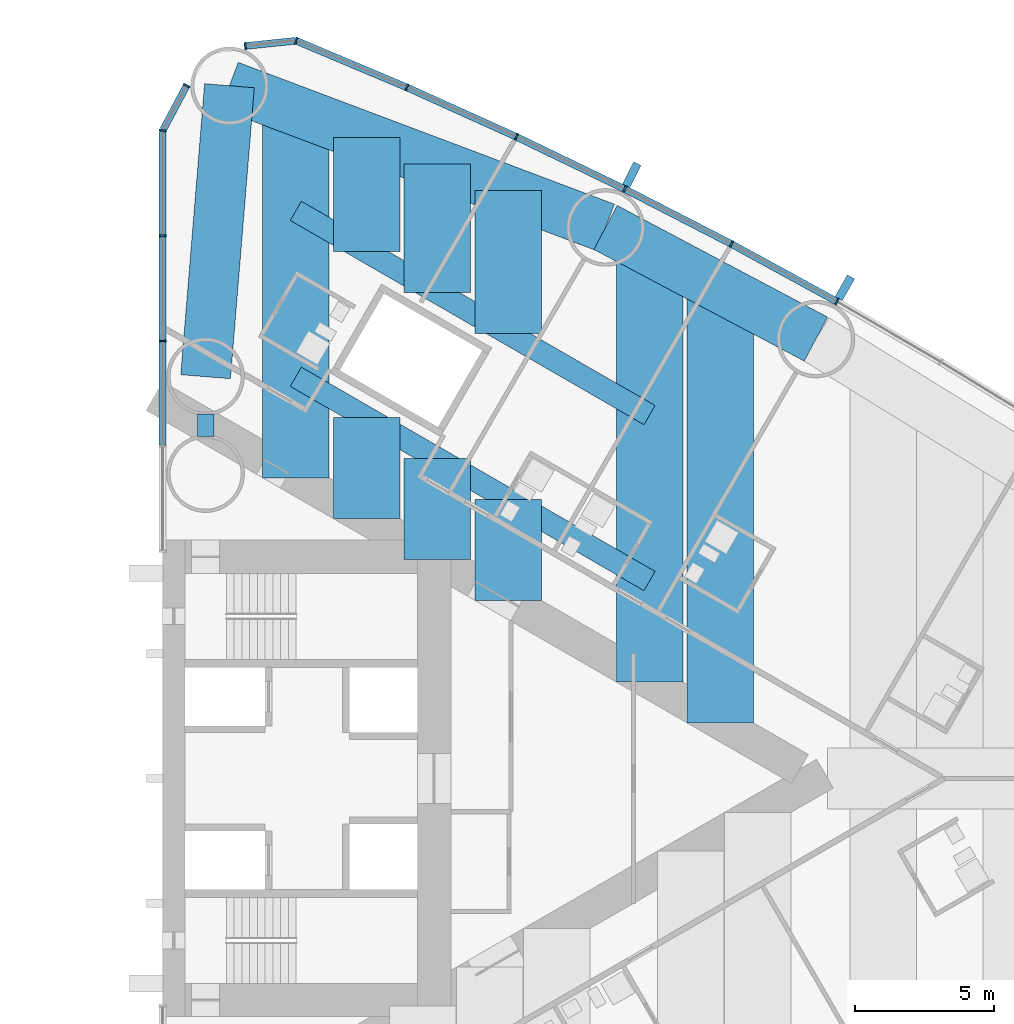
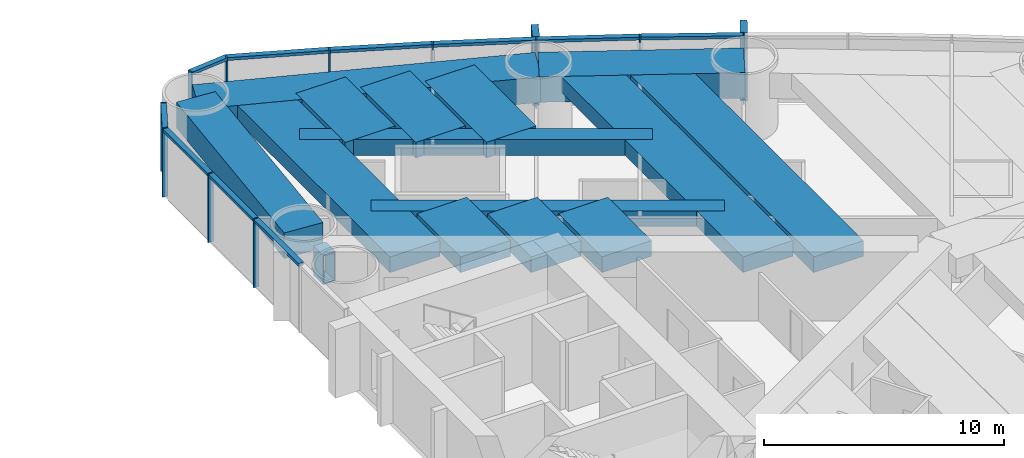
# One storey, part 7 of 18: 23 members, 15 beams, 2 elements without a shape of their own.
"""IFC4 building model written with IfcOpenShell, lengths in metres."""

from ifc_helpers import new_model, si_unit, direction, frame, origin, origin_2d, place, context, subcontext, project, spatial, rectangle, hollow_rectangle, extrude, material, material_profile, profile_set, type_object, element, aggregate, save


model = new_model("IFC4")

# Units and contexts
model_context = context("Model", 3, precision=1e-05, world=origin(), true_north=direction((0.0, 1.0)))
body_context = subcontext(model_context, "Body", "Model", "MODEL_VIEW")
ifc_project = project(units=[si_unit("LENGTHUNIT", "METRE"), si_unit("AREAUNIT", "SQUARE_METRE"), si_unit("VOLUMEUNIT", "CUBIC_METRE"), si_unit("PLANEANGLEUNIT", "RADIAN"), si_unit("MASSUNIT", "GRAM", prefix="KILO")], contexts=[model_context])

# Site, building, storey
site_placement = place(None, origin())
site = spatial("IfcSite", under=ifc_project, at=site_placement, CompositionType="ELEMENT")
building_placement = place(site_placement, origin())
building = spatial("IfcBuilding", under=site, at=building_placement, Name="Lancet Gate Hotel", CompositionType="ELEMENT")
storey_placement = place(building_placement, frame((0.0, 0.0, 46.0)))
storey = spatial("IfcBuildingStorey", under=building, at=storey_placement, Name="L11", CompositionType="ELEMENT", Elevation=46.0)

# Curtain wall, members
ifc_material_1 = material(Name="Aluminium curtain wall", Category="aluminium")
curtain_wall_type = type_object("IfcCurtainWallType", Name="Tower unitised curtain wall", PredefinedType="USERDEFINED", material=ifc_material_1)
curtain_wall_1_placement = place(storey_placement, origin())
curtain_wall_1 = element("IfcCurtainWall", 1, at=curtain_wall_1_placement, inside=storey, type_object=curtain_wall_type, Name="T2 L11 curtain wall 3", ObjectType="UNITISED CURTAIN WALL", PredefinedType="USERDEFINED")
ifc_material_2 = material(Name="Aluminium mullion", Category="aluminium")
ifc_material_profile_1 = material_profile(ifc_material_2, rectangle(XDim=0.06494140625, YDim=0.25, at=origin_2d()), Name="MULLION 65x250")
ifc_profile_set_1 = profile_set([ifc_material_profile_1], Name="Aluminium mullion")
member_type_1 = type_object("IfcMemberType", Name="Aluminium mullion 65x250", PredefinedType="MULLION", material=ifc_profile_set_1)
member_1_placement = place(storey_placement, frame((51.838623046875, 17.208740234375, 0.0), z_axis=(0.0, 0.0, 1.0), x_axis=(-0.871190450382, 0.490945209941, 0.0)))
member_1 = element("IfcMember", 2, at=member_1_placement, type_object=member_type_1, Name="T2 L11 curtain wall 3 mullion 8", PredefinedType="MULLION", context=body_context, shape_type="SweptSolid", body=[
    extrude(rectangle(XDim=0.06494140625, YDim=0.25, at=origin_2d()), origin(), (0.0, 0.0, 1.0), 3.5),
])
member_2_placement = place(storey_placement, frame((48.03271484375, 19.2900390625, 0.0), z_axis=(0.0, 0.0, 1.0), x_axis=(-0.88340346743, 0.468613181347, 0.0)))
member_2 = element("IfcMember", 3, at=member_2_placement, type_object=member_type_1, Name="T2 L11 curtain wall 3 mullion 9", PredefinedType="MULLION", context=body_context, shape_type="SweptSolid", body=[
    extrude(rectangle(XDim=0.06494140625, YDim=0.25, at=origin_2d()), origin(), (0.0, 0.0, 1.0), 3.5),
])
member_3_placement = place(storey_placement, frame((44.17529296875, 21.273681640625, 0.0), z_axis=(0.0, 0.0, 1.0), x_axis=(-0.895044147438, 0.445977548917, 0.0)))
member_3 = element("IfcMember", 4, at=member_3_placement, type_object=member_type_1, Name="T2 L11 curtain wall 3 mullion 10", PredefinedType="MULLION", context=body_context, shape_type="SweptSolid", body=[
    extrude(rectangle(XDim=0.06494140625, YDim=0.25, at=origin_2d()), origin(), (0.0, 0.0, 1.0), 3.5),
])
member_4_placement = place(storey_placement, frame((40.2685546875, 23.15869140625, 0.0), z_axis=(0.0, 0.0, 1.0), x_axis=(-0.906104948671, 0.423052977762, 0.0)))
member_4 = element("IfcMember", 5, at=member_4_placement, type_object=member_type_1, Name="T2 L11 curtain wall 3 mullion 11", PredefinedType="MULLION", context=body_context, shape_type="SweptSolid", body=[
    extrude(rectangle(XDim=0.06494140625, YDim=0.25, at=origin_2d()), origin(), (0.0, 0.0, 1.0), 3.5),
])
member_5_placement = place(storey_placement, frame((36.31494140625, 24.943603515625, 0.0), z_axis=(0.0, 0.0, 1.0), x_axis=(-0.916578705089, 0.399854320193, 0.0)))
member_5 = element("IfcMember", 6, at=member_5_placement, type_object=member_type_1, Name="T2 L11 curtain wall 3 mullion 12", PredefinedType="MULLION", context=body_context, shape_type="SweptSolid", body=[
    extrude(rectangle(XDim=0.06494140625, YDim=0.25, at=origin_2d()), origin(), (0.0, 0.0, 1.0), 3.5),
])
member_6_placement = place(storey_placement, frame((32.3173828125, 26.62744140625, 0.0), z_axis=(0.0, 0.0, 1.0), x_axis=(-0.968721492963, 0.248150496819, 0.0)))
member_6 = element("IfcMember", 7, at=member_6_placement, type_object=member_type_1, Name="T2 L11 curtain wall 3 mullion 13", PredefinedType="MULLION", context=body_context, shape_type="SweptSolid", body=[
    extrude(rectangle(XDim=0.06494140625, YDim=0.25, at=origin_2d()), origin(), (0.0, 0.0, 1.0), 3.5),
])
member_7_placement = place(storey_placement, frame((30.48388671875, 26.4375, 0.0), z_axis=(0.0, 0.0, 1.0), x_axis=(-0.994672262412, -0.10308778001, 0.0)))
member_7 = element("IfcMember", 8, at=member_7_placement, type_object=member_type_1, Name="T2 L11 curtain wall 3 mullion 14", PredefinedType="MULLION", context=body_context, shape_type="SweptSolid", body=[
    extrude(rectangle(XDim=0.06494140625, YDim=0.25, at=origin_2d()), origin(), (0.0, 0.0, 1.0), 3.5),
])

curtain_wall_2_placement = place(storey_placement, origin())
curtain_wall_2 = element("IfcCurtainWall", 9, at=curtain_wall_2_placement, inside=storey, type_object=curtain_wall_type, Name="T2 L11 curtain wall 4", ObjectType="UNITISED CURTAIN WALL", PredefinedType="USERDEFINED")
member_8_placement = place(storey_placement, frame((28.366455078125, 25.012451171875, 0.0), z_axis=(0.0, 0.0, 1.0), x_axis=(-0.469897827284, -0.882720811987, 0.0)))
member_8 = element("IfcMember", 10, at=member_8_placement, type_object=member_type_1, Name="T2 L11 curtain wall 4 mullion 1", PredefinedType="MULLION", context=body_context, shape_type="SweptSolid", body=[
    extrude(rectangle(XDim=0.06494140625, YDim=0.25, at=origin_2d()), origin(), (0.0, 0.0, 1.0), 3.5),
])
member_9_placement = place(storey_placement, frame((27.5, 23.384765625, 0.0), z_axis=(0.0, 0.0, 1.0), x_axis=(-0.157751691459, -0.987478811844, 0.0)))
member_9 = element("IfcMember", 11, at=member_9_placement, type_object=member_type_1, Name="T2 L11 curtain wall 4 mullion 2", PredefinedType="MULLION", context=body_context, shape_type="SweptSolid", body=[
    extrude(rectangle(XDim=0.06494140625, YDim=0.25, at=origin_2d()), origin(), (0.0, 0.0, 1.0), 3.5),
])
member_10_placement = place(storey_placement, frame((27.5, 19.588623046875, 0.0), z_axis=(0.0, 0.0, 1.0), x_axis=(0.0, -1.0, 0.0)))
member_10 = element("IfcMember", 12, at=member_10_placement, type_object=member_type_1, Name="T2 L11 curtain wall 4 mullion 3", PredefinedType="MULLION", context=body_context, shape_type="SweptSolid", body=[
    extrude(rectangle(XDim=0.06494140625, YDim=0.25, at=origin_2d()), origin(), (0.0, 0.0, 1.0), 3.5),
])
member_11_placement = place(storey_placement, frame((27.5, 15.79248046875, 0.0), z_axis=(0.0, 0.0, 1.0), x_axis=(0.0, -1.0, 0.0)))
member_11 = element("IfcMember", 13, at=member_11_placement, type_object=member_type_1, Name="T2 L11 curtain wall 4 mullion 4", PredefinedType="MULLION", context=body_context, shape_type="SweptSolid", body=[
    extrude(rectangle(XDim=0.06494140625, YDim=0.25, at=origin_2d()), origin(), (0.0, 0.0, 1.0), 3.5),
])

# Member
ifc_material_3 = material(Name="Aluminium transom", Category="aluminium")
ifc_material_profile_2 = material_profile(ifc_material_3, rectangle(XDim=0.25, YDim=0.14990234375, at=origin_2d()), Name="TRANSOM 250x150")
ifc_profile_set_2 = profile_set([ifc_material_profile_2], Name="Aluminium transom")
member_type_2 = type_object("IfcMemberType", Name="Aluminium transom 250x150", PredefinedType="USERDEFINED", material=ifc_profile_set_2)
member_12_placement = place(storey_placement, frame((51.81005859375, 17.224365234375, 3.425048828125), z_axis=(-0.877377528879, 0.479800658417, 0.0), x_axis=(-0.479800658417, -0.877377528879, 0.0)))
member_12 = element("IfcMember", 14, at=member_12_placement, type_object=member_type_2, Name="T2 L11 curtain wall 3 transom 8", ObjectType="TRANSOM", PredefinedType="USERDEFINED", context=body_context, shape_type="SweptSolid", body=[
    extrude(rectangle(XDim=0.25, YDim=0.14990234375, at=origin_2d()), origin(), (0.0, 0.0, 1.0), 4.272705078125),
])

member_13_placement = place(storey_placement, frame((48.00390625, 19.304931640625, 3.425048828125), z_axis=(-0.88929576978, 0.457332520002, 0.0), x_axis=(-0.457332520002, -0.88929576978, 0.0)))
member_13 = element("IfcMember", 15, at=member_13_placement, type_object=member_type_2, Name="T2 L11 curtain wall 3 transom 9", ObjectType="TRANSOM", PredefinedType="USERDEFINED", context=body_context, shape_type="SweptSolid", body=[
    extrude(rectangle(XDim=0.25, YDim=0.14990234375, at=origin_2d()), origin(), (0.0, 0.0, 1.0), 4.272705078125),
])

member_14_placement = place(storey_placement, frame((44.14599609375, 21.287841796875, 3.425048828125), z_axis=(-0.900646499888, 0.434552508035, 0.0), x_axis=(-0.434552508035, -0.900646499888, 0.0)))
member_14 = element("IfcMember", 16, at=member_14_placement, type_object=member_type_2, Name="T2 L11 curtain wall 3 transom 10", ObjectType="TRANSOM", PredefinedType="USERDEFINED", context=body_context, shape_type="SweptSolid", body=[
    extrude(rectangle(XDim=0.25, YDim=0.14990234375, at=origin_2d()), origin(), (0.0, 0.0, 1.0), 4.272705078125),
])

member_15_placement = place(storey_placement, frame((40.23876953125, 23.172119140625, 3.425048828125), z_axis=(-0.911396871737, 0.411528543589, 0.0), x_axis=(-0.411528543589, -0.911396871737, 0.0)))
member_15 = element("IfcMember", 17, at=member_15_placement, type_object=member_type_2, Name="T2 L11 curtain wall 3 transom 11", ObjectType="TRANSOM", PredefinedType="USERDEFINED", context=body_context, shape_type="SweptSolid", body=[
    extrude(rectangle(XDim=0.25, YDim=0.14990234375, at=origin_2d()), origin(), (0.0, 0.0, 1.0), 4.272705078125),
])

member_16_placement = place(storey_placement, frame((36.28515625, 24.956298828125, 3.425048828125), z_axis=(-0.92159772617, 0.388146404233, 0.0), x_axis=(-0.388146404233, -0.92159772617, 0.0)))
member_16 = element("IfcMember", 18, at=member_16_placement, type_object=member_type_2, Name="T2 L11 curtain wall 3 transom 12", ObjectType="TRANSOM", PredefinedType="USERDEFINED", context=body_context, shape_type="SweptSolid", body=[
    extrude(rectangle(XDim=0.25, YDim=0.14990234375, at=origin_2d()), origin(), (0.0, 0.0, 1.0), 4.272705078125),
])

member_17_placement = place(storey_placement, frame((32.28515625, 26.6240234375, 3.425048828125), z_axis=(-0.994670452051, -0.103105246306, 0.0), x_axis=(0.103105246306, -0.994670452051, 0.0)))
member_17 = element("IfcMember", 19, at=member_17_placement, type_object=member_type_2, Name="T2 L11 curtain wall 3 transom 13", ObjectType="TRANSOM", PredefinedType="USERDEFINED", context=body_context, shape_type="SweptSolid", body=[
    extrude(rectangle(XDim=0.25, YDim=0.14990234375, at=origin_2d()), origin(), (0.0, 0.0, 1.0), 1.7783203125),
])

member_18_placement = place(storey_placement, frame((28.351318359375, 24.98388671875, 3.425048828125), z_axis=(-0.469904276347, -0.882717378933, 0.0), x_axis=(0.882717378933, -0.469904276347, 0.0)))
member_18 = element("IfcMember", 20, at=member_18_placement, type_object=member_type_2, Name="T2 L11 curtain wall 4 transom 1", ObjectType="TRANSOM", PredefinedType="USERDEFINED", context=body_context, shape_type="SweptSolid", body=[
    extrude(rectangle(XDim=0.25, YDim=0.14990234375, at=origin_2d()), origin(), (0.0, 0.0, 1.0), 1.779052734375),
])

member_19_placement = place(storey_placement, frame((27.5, 23.352294921875, 3.425048828125), z_axis=(0.0, -1.0, 0.0), x_axis=(1.0, 0.0, 0.0)))
member_19 = element("IfcMember", 21, at=member_19_placement, type_object=member_type_2, Name="T2 L11 curtain wall 4 transom 2", ObjectType="TRANSOM", PredefinedType="USERDEFINED", context=body_context, shape_type="SweptSolid", body=[
    extrude(rectangle(XDim=0.25, YDim=0.14990234375, at=origin_2d()), origin(), (0.0, 0.0, 1.0), 3.731201171875),
])

member_20_placement = place(storey_placement, frame((27.5, 19.55615234375, 3.425048828125), z_axis=(0.0, -1.0, 0.0), x_axis=(1.0, 0.0, 0.0)))
member_20 = element("IfcMember", 22, at=member_20_placement, type_object=member_type_2, Name="T2 L11 curtain wall 4 transom 3", ObjectType="TRANSOM", PredefinedType="USERDEFINED", context=body_context, shape_type="SweptSolid", body=[
    extrude(rectangle(XDim=0.25, YDim=0.14990234375, at=origin_2d()), origin(), (0.0, 0.0, 1.0), 3.731201171875),
])

member_21_placement = place(storey_placement, frame((27.5, 15.760009765625, 3.425048828125), z_axis=(0.0, -1.0, 0.0), x_axis=(1.0, 0.0, 0.0)))
member_21 = element("IfcMember", 23, at=member_21_placement, type_object=member_type_2, Name="T2 L11 curtain wall 4 transom 4", ObjectType="TRANSOM", PredefinedType="USERDEFINED", context=body_context, shape_type="SweptSolid", body=[
    extrude(rectangle(XDim=0.25, YDim=0.14990234375, at=origin_2d()), origin(), (0.0, 0.0, 1.0), 3.731201171875),
])

aggregate(curtain_wall_2, [member_8, member_9, member_10, member_11, member_18, member_19, member_20, member_21])

# Beams
ifc_material_4 = material(Name="Concrete C50/60", Category="concrete")
ifc_material_profile_3 = material_profile(ifc_material_4, rectangle(XDim=1.800048828125, YDim=1.300048828125, at=origin_2d()), Name="RC 1800x1300")
ifc_profile_set_3 = profile_set([ifc_material_profile_3], Name="Concrete C50/60")
beam_type_1 = type_object("IfcBeamType", Name="Edge beam RC 1800x1300", PredefinedType="SPANDREL", material=ifc_profile_set_3)
beam_1_placement = place(storey_placement, frame((51.07763671875, 15.8583984375, 2.60009765625), z_axis=(-0.883403493655, 0.46861313191, 0.0), x_axis=(-0.46861313191, -0.883403493655, 0.0)))
element("IfcBeam", 24, at=beam_1_placement, inside=storey, type_object=beam_type_1, Name="T2 edge beam EB1 L11", PredefinedType="SPANDREL", context=body_context, shape_type="SweptSolid", body=[
    extrude(rectangle(XDim=1.800048828125, YDim=1.300048828125, at=origin_2d()), origin(), (0.0, 0.0, 1.0), 8.595703125),
])
beam_2_placement = place(storey_placement, frame((43.484130859375, 19.886474609375, 2.60009765625), z_axis=(-0.935736448066, 0.352700013836, 0.0), x_axis=(-0.352700013836, -0.935736448066, 0.0)))
element("IfcBeam", 25, at=beam_2_placement, inside=storey, type_object=beam_type_1, Name="T2 edge beam EB1 L11", PredefinedType="SPANDREL", context=body_context, shape_type="SweptSolid", body=[
    extrude(rectangle(XDim=1.800048828125, YDim=1.300048828125, at=origin_2d()), origin(), (0.0, 0.0, 1.0), 14.505126953125),
])
beam_3_placement = place(storey_placement, frame((29.050048828125, 14.5, 2.60009765625), z_axis=(0.081714744052, 0.996655758326, 0.0), x_axis=(-0.996655758326, 0.081714744052, 0.0)))
element("IfcBeam", 26, at=beam_3_placement, inside=storey, type_object=beam_type_1, Name="T2 edge beam EB1 L11", PredefinedType="SPANDREL", context=body_context, shape_type="SweptSolid", body=[
    extrude(rectangle(XDim=1.800048828125, YDim=1.300048828125, at=origin_2d()), origin(), (0.0, 0.0, 1.0), 10.53759765625),
])

# Member
ifc_material_5 = material(Name="Precast concrete C50/60", Category="concrete")
ifc_material_profile_4 = material_profile(ifc_material_5, rectangle(XDim=0.300048828125, YDim=0.89990234375, at=origin_2d()), Name="FIN 300x900")
ifc_profile_set_4 = profile_set([ifc_material_profile_4], Name="Precast concrete C50/60")
member_type_3 = type_object("IfcMemberType", Name="Exposed concrete fin 300x900", PredefinedType="USERDEFINED", material=ifc_profile_set_4)
member_22_placement = place(storey_placement, frame((52.120849609375, 17.709716796875, 0.0), z_axis=(0.0, 0.0, 1.0), x_axis=(-0.871190450382, 0.490945209941, 0.0)))
member_22 = element("IfcMember", 27, at=member_22_placement, type_object=member_type_3, Name="T2 L11 curtain wall 3 fin 8", ObjectType="FIN", PredefinedType="USERDEFINED", context=body_context, shape_type="SweptSolid", body=[
    extrude(rectangle(XDim=0.300048828125, YDim=0.89990234375, at=origin_2d()), origin(), (0.0, 0.0, 1.0), 3.5),
])

member_23_placement = place(storey_placement, frame((44.431640625, 21.788330078125, 0.0), z_axis=(0.0, 0.0, 1.0), x_axis=(-0.895044147438, 0.445977548917, 0.0)))
member_23 = element("IfcMember", 28, at=member_23_placement, type_object=member_type_3, Name="T2 L11 curtain wall 3 fin 10", ObjectType="FIN", PredefinedType="USERDEFINED", context=body_context, shape_type="SweptSolid", body=[
    extrude(rectangle(XDim=0.300048828125, YDim=0.89990234375, at=origin_2d()), origin(), (0.0, 0.0, 1.0), 3.5),
])

aggregate(curtain_wall_1, [member_1, member_22, member_2, member_3, member_23, member_4, member_5, member_6, member_7, member_12, member_13, member_14, member_15, member_16, member_17])

# Beams
ifc_material_6 = material(Name="Concrete C50/60", Category="concrete")
ifc_material_profile_5 = material_profile(ifc_material_6, rectangle(XDim=2.39990234375, YDim=0.800048828125, at=origin_2d()), Name="RC 2400x800")
ifc_profile_set_5 = profile_set([ifc_material_profile_5], Name="Concrete C50/60")
beam_type_2 = type_object("IfcBeamType", Name="Floor beam RC 2400x800", PredefinedType="BEAM", material=ifc_profile_set_5)
beam_4_placement = place(storey_placement, frame((32.306396484375, 10.851806640625, 2.85009765625), z_axis=(0.0, 1.0, 0.0), x_axis=(-1.0, 0.0, 0.0)))
element("IfcBeam", 29, at=beam_4_placement, inside=storey, type_object=beam_type_2, Name="T2 floor beam F04N L11", PredefinedType="BEAM", context=body_context, shape_type="SweptSolid", body=[
    extrude(rectangle(XDim=2.39990234375, YDim=0.800048828125, at=origin_2d()), origin(), (0.0, 0.0, 1.0), 13.247802734375),
])
beam_5_placement = place(storey_placement, frame((45.072265625, 3.4814453125, 2.85009765625), z_axis=(0.0, 1.0, 0.0), x_axis=(-1.0, 0.0, 0.0)))
element("IfcBeam", 30, at=beam_5_placement, inside=storey, type_object=beam_type_2, Name="T2 floor beam F12N L11", PredefinedType="BEAM", context=body_context, shape_type="SweptSolid", body=[
    extrude(rectangle(XDim=2.39990234375, YDim=0.800048828125, at=origin_2d()), origin(), (0.0, 0.0, 1.0), 15.5625),
])
beam_6_placement = place(storey_placement, frame((47.62548828125, 2.00732421875, 2.85009765625), z_axis=(0.0, 1.0, 0.0), x_axis=(-1.0, 0.0, 0.0)))
element("IfcBeam", 31, at=beam_6_placement, inside=storey, type_object=beam_type_2, Name="T2 floor beam F14N L11", PredefinedType="BEAM", context=body_context, shape_type="SweptSolid", body=[
    extrude(rectangle(XDim=2.39990234375, YDim=0.800048828125, at=origin_2d()), origin(), (0.0, 0.0, 1.0), 15.68212890625),
])
beam_7_placement = place(storey_placement, frame((34.859619140625, 9.377685546875, 2.85009765625), z_axis=(0.0, 1.0, 0.0), x_axis=(-1.0, 0.0, 0.0)))
element("IfcBeam", 32, at=beam_7_placement, inside=storey, type_object=beam_type_2, Name="T2 floor beam F06NA L11", PredefinedType="BEAM", context=body_context, shape_type="SweptSolid", body=[
    extrude(rectangle(XDim=2.39990234375, YDim=0.800048828125, at=origin_2d()), origin(), (0.0, 0.0, 1.0), 3.645751953125),
])
beam_8_placement = place(storey_placement, frame((34.859619140625, 19.011474609375, 2.85009765625), z_axis=(0.0, 1.0, 0.0), x_axis=(-1.0, 0.0, 0.0)))
element("IfcBeam", 33, at=beam_8_placement, inside=storey, type_object=beam_type_2, Name="T2 floor beam F06NB L11", PredefinedType="BEAM", context=body_context, shape_type="SweptSolid", body=[
    extrude(rectangle(XDim=2.39990234375, YDim=0.800048828125, at=origin_2d()), origin(), (0.0, 0.0, 1.0), 4.125732421875),
])
beam_9_placement = place(storey_placement, frame((37.412841796875, 7.903564453125, 2.85009765625), z_axis=(0.0, 1.0, 0.0), x_axis=(-1.0, 0.0, 0.0)))
element("IfcBeam", 34, at=beam_9_placement, inside=storey, type_object=beam_type_2, Name="T2 floor beam F08NA L11", PredefinedType="BEAM", context=body_context, shape_type="SweptSolid", body=[
    extrude(rectangle(XDim=2.39990234375, YDim=0.800048828125, at=origin_2d()), origin(), (0.0, 0.0, 1.0), 3.6455078125),
])
beam_10_placement = place(storey_placement, frame((37.412841796875, 17.537109375, 2.85009765625), z_axis=(0.0, 1.0, 0.0), x_axis=(-1.0, 0.0, 0.0)))
element("IfcBeam", 35, at=beam_10_placement, inside=storey, type_object=beam_type_2, Name="T2 floor beam F08NB L11", PredefinedType="BEAM", context=body_context, shape_type="SweptSolid", body=[
    extrude(rectangle(XDim=2.39990234375, YDim=0.800048828125, at=origin_2d()), origin(), (0.0, 0.0, 1.0), 4.6376953125),
])
beam_11_placement = place(storey_placement, frame((39.9658203125, 6.429443359375, 2.85009765625), z_axis=(0.0, 1.0, 0.0), x_axis=(-1.0, 0.0, 0.0)))
element("IfcBeam", 36, at=beam_11_placement, inside=storey, type_object=beam_type_2, Name="T2 floor beam F10NA L11", PredefinedType="BEAM", context=body_context, shape_type="SweptSolid", body=[
    extrude(rectangle(XDim=2.39990234375, YDim=0.800048828125, at=origin_2d()), origin(), (0.0, 0.0, 1.0), 3.64501953125),
])
beam_12_placement = place(storey_placement, frame((39.9658203125, 16.062744140625, 2.85009765625), z_axis=(0.0, 1.0, 0.0), x_axis=(-1.0, 0.0, 0.0)))
element("IfcBeam", 37, at=beam_12_placement, inside=storey, type_object=beam_type_2, Name="T2 floor beam F10NB L11", PredefinedType="BEAM", context=body_context, shape_type="SweptSolid", body=[
    extrude(rectangle(XDim=2.39990234375, YDim=0.800048828125, at=origin_2d()), origin(), (0.0, 0.0, 1.0), 5.14990234375),
])
ifc_material_7 = material(Name="Steel S460QL", Category="steel")
ifc_material_profile_6 = material_profile(ifc_material_7, hollow_rectangle(XDim=0.60009765625, YDim=1.5, WallThickness=0.050048828125, at=origin_2d()), Name="BOX 1500x600x50")
ifc_profile_set_6 = profile_set([ifc_material_profile_6], Name="Steel S460QL")
beam_type_3 = type_object("IfcBeamType", Name="Inner-face link beam BOX 1500x600x50", PredefinedType="BEAM", material=ifc_profile_set_6)
beam_13_placement = place(storey_placement, frame((29.050048828125, 12.35009765625, 2.5), z_axis=(0.0, 1.0, 0.0), x_axis=(-1.0, 0.0, 0.0)))
element("IfcBeam", 38, at=beam_13_placement, inside=storey, type_object=beam_type_3, Name="T2 inner-face link beam LK1 L11", PredefinedType="BEAM", context=body_context, shape_type="SweptSolid", body=[
    extrude(hollow_rectangle(XDim=0.60009765625, YDim=1.5, WallThickness=0.050048828125, at=origin_2d()), origin(), (0.0, 0.0, 1.0), 0.7998046875),
])
ifc_material_8 = material(Name="Steel S460QL", Category="steel")
ifc_material_profile_7 = material_profile(ifc_material_8, hollow_rectangle(XDim=0.800048828125, YDim=0.800048828125, WallThickness=0.080078125, at=origin_2d()), Name="BOX 800x800x80")
ifc_profile_set_7 = profile_set([ifc_material_profile_7], Name="Steel S460QL")
beam_type_4 = type_object("IfcBeamType", Name="Trimmer beam BOX 800x800x80", PredefinedType="BEAM", material=ifc_profile_set_7)
beam_14_placement = place(storey_placement, frame((32.306396484375, 20.48583984375, 2.85009765625), z_axis=(0.86598286195, -0.500073677381, 0.0), x_axis=(0.500073677381, 0.86598286195, 0.0)))
element("IfcBeam", 39, at=beam_14_placement, inside=storey, type_object=beam_type_4, Name="T2 trimmer beam TR03N L11", PredefinedType="BEAM", context=body_context, shape_type="SweptSolid", body=[
    extrude(hollow_rectangle(XDim=0.800048828125, YDim=0.800048828125, WallThickness=0.080078125, at=origin_2d()), origin(), (0.0, 0.0, 1.0), 14.741455078125),
])
beam_15_placement = place(storey_placement, frame((32.306396484375, 14.497802734375, 2.85009765625), z_axis=(0.865975689888, -0.500086097111, 0.0), x_axis=(0.500086097111, 0.865975689888, 0.0)))
element("IfcBeam", 40, at=beam_15_placement, inside=storey, type_object=beam_type_4, Name="T2 trimmer beam TR04N L11", PredefinedType="BEAM", context=body_context, shape_type="SweptSolid", body=[
    extrude(hollow_rectangle(XDim=0.800048828125, YDim=0.800048828125, WallThickness=0.080078125, at=origin_2d()), origin(), (0.0, 0.0, 1.0), 14.74169921875),
])

save(model, "model.ifc")
